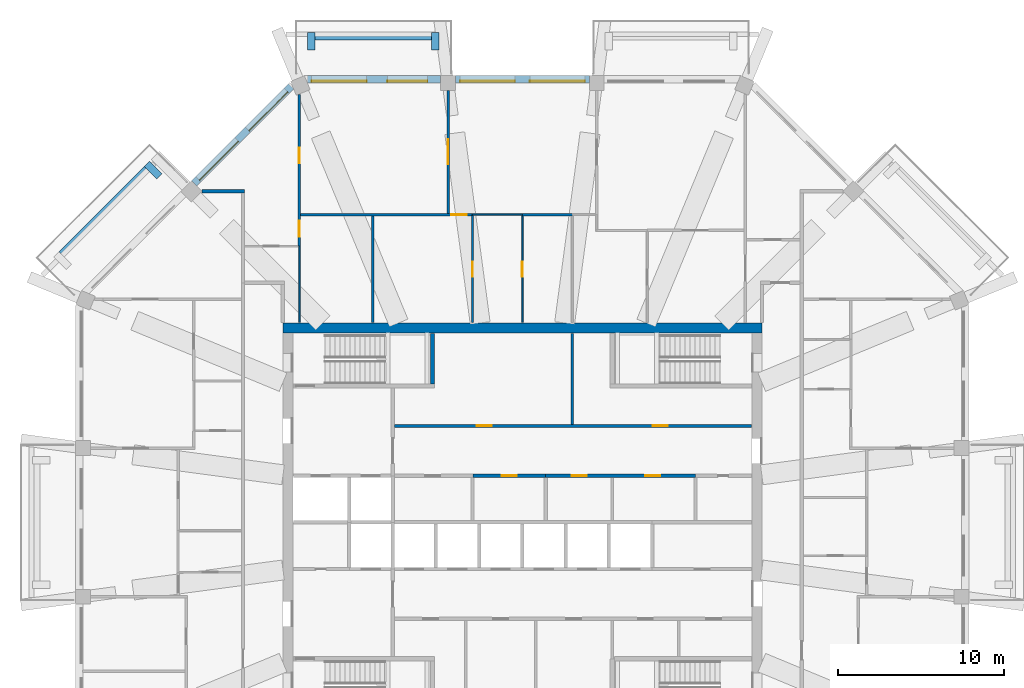
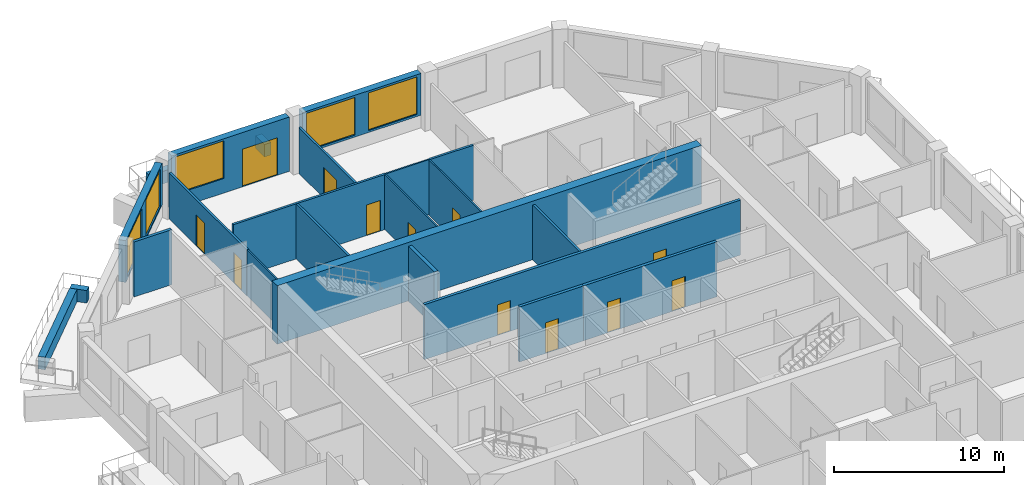
# One storey, part 8 of 12: 24 walls, 12 doors, 5 windows, 17 openings.
"""IFC4 building model written with IfcOpenShell, lengths in metres."""

from ifc_helpers import new_model, si_unit, direction, frame, frame_2d, origin, place, context, subcontext, project, spatial, rectangle, extrude, material, layer, layer_set, type_object, element, fill, save


model = new_model("IFC4")

# Units and contexts
model_context = context("Model", 3, precision=1e-05, world=origin(), true_north=direction((0.0, 1.0)))
body_context = subcontext(model_context, "Body", "Model", "MODEL_VIEW")
ifc_project = project(units=[si_unit("LENGTHUNIT", "METRE"), si_unit("AREAUNIT", "SQUARE_METRE"), si_unit("VOLUMEUNIT", "CUBIC_METRE"), si_unit("PLANEANGLEUNIT", "RADIAN"), si_unit("MASSUNIT", "GRAM", prefix="KILO")], contexts=[model_context])

# Site, building, storey
site_placement = place(None, origin())
site = spatial("IfcSite", under=ifc_project, at=site_placement, CompositionType="ELEMENT")
building_placement = place(site_placement, origin())
building = spatial("IfcBuilding", under=site, at=building_placement, Name="Msitu Wima Residences", CompositionType="ELEMENT")
storey_placement = place(building_placement, frame((0.0, 0.0, 213.89990234375)))
storey = spatial("IfcBuildingStorey", under=building, at=storey_placement, Name="L49", CompositionType="ELEMENT", Elevation=213.89990234375)

# Walls
ifc_material_1 = material(Name="Facing brick")
ifc_layer_1 = layer(ifc_material_1, 0.06494140625, Name="Facing brick")
ifc_material_2 = material(Name="Concrete C40/50", Category="concrete")
ifc_layer_2 = layer(ifc_material_2, 0.156005859375, Name="Concrete C40/50")
ifc_material_3 = material(Name="Waterproofing membrane")
ifc_layer_3 = layer(ifc_material_3, 0.00390625, Name="Waterproofing membrane")
ifc_material_4 = material(Name="Planting soil and planting")
ifc_layer_4 = layer(ifc_material_4, 0.22509765625, Name="Planting soil and planting")
ifc_layer_set_1 = layer_set([ifc_layer_1, ifc_layer_2, ifc_layer_3, ifc_layer_4], Name="Concrete C40/50")
wall_type_1 = type_object("IfcWallType", Name="Balcony planter PLANTER PL450", PredefinedType="USERDEFINED", material=ifc_layer_set_1)
wall_1_placement = place(storey_placement, frame((-5.468505859375, 29.22509765625, 0.0), z_axis=(0.0, 0.0, 1.0), x_axis=(-1.0, 0.0, 0.0)))
element("IfcWall", 1, at=wall_1_placement, inside=storey, type_object=wall_type_1, Name="Balcony planter N2 L49", ObjectType="PLANTER", PredefinedType="USERDEFINED", context=body_context, shape_type="SweptSolid", body=[
    extrude(rectangle(XDim=6.9873046875, YDim=0.449951171875, at=frame_2d((3.49365234375, 0.0))), origin(), (0.0, 0.0, 1.0), 0.900146484375),
])
for number, where, z_axis, x_axis, name in (
    (2, (-5.24365234375, 28.39990234375, 0.0), (0.0, 0.0, 1.0), (0.0, 1.0, 0.0), "Balcony planter N2 L49"),
    (3, (-12.680908203125, 28.39990234375, 0.0), (0.0, 0.0, 1.0), (0.0, 1.0, 0.0), "Balcony planter N2 L49"),
):
    element("IfcWall", number, at=place(storey_placement, frame(where, z_axis=z_axis, x_axis=x_axis)), inside=storey, type_object=wall_type_1, Name=name, ObjectType="PLANTER", PredefinedType="USERDEFINED", context=body_context, shape_type="SweptSolid", body=[
        extrude(rectangle(XDim=1.050048828125, YDim=0.449951171875, at=frame_2d((0.52490234375, 0.0))), origin(), (0.0, 0.0, 1.0), 0.900146484375),
    ])
wall_2_placement = place(storey_placement, frame((-22.572265625, 21.228759765625, 0.0), z_axis=(0.0, 0.0, 1.0), x_axis=(-0.707106781187, -0.707106781187, 0.0)))
element("IfcWall", 4, at=wall_2_placement, inside=storey, type_object=wall_type_1, Name="Balcony planter NW1 L49", ObjectType="PLANTER", PredefinedType="USERDEFINED", context=body_context, shape_type="SweptSolid", body=[
    extrude(rectangle(XDim=7.23828125, YDim=0.449951171875, at=frame_2d((3.619140625, 0.0))), origin(), (0.0, 0.0, 1.0), 0.900146484375),
])
wall_3_placement = place(storey_placement, frame((-21.829833984375, 20.804443359375, 0.0), z_axis=(0.0, 0.0, 1.0), x_axis=(-0.707106781187, 0.707106781187, 0.0)))
element("IfcWall", 5, at=wall_3_placement, inside=storey, type_object=wall_type_1, Name="Balcony planter NW1 L49", ObjectType="PLANTER", PredefinedType="USERDEFINED", context=body_context, shape_type="SweptSolid", body=[
    extrude(rectangle(XDim=1.050048828125, YDim=0.449951171875, at=frame_2d((0.52490234375, 0.0))), origin(), (0.0, 0.0, 1.0), 0.900146484375),
])

# Wall, openings, windows
ifc_material_5 = material(Name="Brick (red buff mix)", Category="masonry")
ifc_layer_5 = layer(ifc_material_5, 0.449951171875)
ifc_layer_set_2 = layer_set([ifc_layer_5], Name="Brick (red buff mix)")
wall_type_2 = type_object("IfcWallType", Name="Brick infill wall BW450", PredefinedType="SOLIDWALL", material=ifc_layer_set_2)
wall_4_placement = place(storey_placement, frame((4.0185546875, 26.625, 0.900146484375), z_axis=(0.0, 0.0, 1.0), x_axis=(-1.0, 0.0, 0.0)))
wall_4 = element("IfcWall", 6, at=wall_4_placement, inside=storey, type_object=wall_type_2, Name="Brick infill wall L49 N1", PredefinedType="SOLIDWALL", context=body_context, shape_type="SweptSolid", body=[
    extrude(rectangle(XDim=8.037109375, YDim=0.449951171875, at=frame_2d((4.0185546875, 0.0))), origin(), (0.0, 0.0, 1.0), 3.0),
])
opening_1_placement = place(wall_4_placement, frame((0.2685546875, 0.0, 0.14990234375)))
opening_1 = element("IfcOpeningElement", 7, at=opening_1_placement, cuts=wall_4, Name="Opening W49.007", PredefinedType="OPENING", context=body_context, shape_type="SweptSolid", body=[
    extrude(rectangle(XDim=3.300048828125, YDim=2.699951171875, at=frame_2d((1.64990234375, 1.35009765625))), frame((0.0, 0.23486328125, 0.0), z_axis=(0.0, -1.0, 0.0), x_axis=(1.0, 0.0, 0.0)), (0.0, 0.0, 1.0), 0.469970703125),
])
opening_2_placement = place(wall_4_placement, frame((4.46875, 0.0, 0.14990234375)))
opening_2 = element("IfcOpeningElement", 8, at=opening_2_placement, cuts=wall_4, Name="Opening W49.008", PredefinedType="OPENING", context=body_context, shape_type="SweptSolid", body=[
    extrude(rectangle(XDim=3.300048828125, YDim=2.699951171875, at=frame_2d((1.64990234375, 1.35009765625))), frame((0.0, 0.23486328125, 0.0), z_axis=(0.0, -1.0, 0.0), x_axis=(1.0, 0.0, 0.0)), (0.0, 0.0, 1.0), 0.469970703125),
])
ifc_material_6 = material(Name="Anodised aluminium, bronze finish, clear low-emissivity double glazing", Category="aluminium")
window_type = type_object("IfcWindowType", Name="Window W3300x2700", PartitioningType="DOUBLE_PANEL_VERTICAL", PredefinedType="WINDOW", material=ifc_material_6)
window_1_placement = place(opening_1_placement, origin())
window_1 = element("IfcWindow", 9, at=window_1_placement, inside=storey, type_object=window_type, Name="Window L49 N1.1", OverallHeight=2.699951171875, OverallWidth=3.300048828125, PartitioningType="SINGLE_PANEL", PredefinedType="WINDOW", context=body_context, shape_type="SweptSolid", body=[
    extrude(rectangle(XDim=3.300048828125, YDim=2.699951171875, at=frame_2d((1.64990234375, 1.35009765625))), frame((0.0, 0.135009765625, 0.0), z_axis=(0.0, -1.0, 0.0), x_axis=(1.0, 0.0, 0.0)), (0.0, 0.0, 1.0), 0.06005859375),
])
fill(opening_1, window_1)
window_2_placement = place(opening_2_placement, origin())
window_2 = element("IfcWindow", 10, at=window_2_placement, inside=storey, type_object=window_type, Name="Window L49 N1.2", OverallHeight=2.699951171875, OverallWidth=3.300048828125, PartitioningType="SINGLE_PANEL", PredefinedType="WINDOW", context=body_context, shape_type="SweptSolid", body=[
    extrude(rectangle(XDim=3.300048828125, YDim=2.699951171875, at=frame_2d((1.64990234375, 1.35009765625))), frame((0.0, 0.135009765625, 0.0), z_axis=(0.0, -1.0, 0.0), x_axis=(1.0, 0.0, 0.0)), (0.0, 0.0, 1.0), 0.06005859375),
])
fill(opening_2, window_2)

# Wall, openings, door, window
wall_5_placement = place(storey_placement, frame((-4.918701171875, 26.625, 0.0), z_axis=(0.0, 0.0, 1.0), x_axis=(-1.0, 0.0, 0.0)))
wall_5 = element("IfcWall", 11, at=wall_5_placement, inside=storey, type_object=wall_type_2, Name="Brick infill wall L49 N2", PredefinedType="SOLIDWALL", context=body_context, shape_type="SweptSolid", body=[
    extrude(rectangle(XDim=8.0, YDim=0.449951171875, at=frame_2d((4.0, 0.0))), origin(), (0.0, 0.0, 1.0), 3.900146484375),
])
opening_3_placement = place(wall_5_placement, frame((0.800048828125, 0.0, 0.0)))
opening_3 = element("IfcOpeningElement", 12, at=opening_3_placement, cuts=wall_5, Name="Opening D49.003", PredefinedType="OPENING", context=body_context, shape_type="SweptSolid", body=[
    extrude(rectangle(XDim=2.39990234375, YDim=2.699951171875, at=frame_2d((1.199951171875, 1.35009765625))), frame((0.0, 0.23486328125, 0.0), z_axis=(0.0, -1.0, 0.0), x_axis=(1.0, 0.0, 0.0)), (0.0, 0.0, 1.0), 0.469970703125),
])
opening_4_placement = place(wall_5_placement, frame((4.4501953125, 0.0, 1.050048828125)))
opening_4 = element("IfcOpeningElement", 13, at=opening_4_placement, cuts=wall_5, Name="Opening W49.009", PredefinedType="OPENING", context=body_context, shape_type="SweptSolid", body=[
    extrude(rectangle(XDim=3.300048828125, YDim=2.699951171875, at=frame_2d((1.64990234375, 1.35009765625))), frame((0.0, 0.23486328125, 0.0), z_axis=(0.0, -1.0, 0.0), x_axis=(1.0, 0.0, 0.0)), (0.0, 0.0, 1.0), 0.469970703125),
])
door_type_1 = type_object("IfcDoorType", Name="Balcony door D2400x2700", OperationType="SLIDING_TO_LEFT", PredefinedType="DOOR", material=ifc_material_6)
door_1_placement = place(opening_3_placement, origin())
door_1 = element("IfcDoor", 14, at=door_1_placement, inside=storey, type_object=door_type_1, Name="Balcony door L49 N2", OperationType="SINGLE_SWING_LEFT", OverallHeight=2.699951171875, OverallWidth=2.39990234375, PredefinedType="DOOR", context=body_context, shape_type="SweptSolid", body=[
    extrude(rectangle(XDim=2.39990234375, YDim=2.699951171875, at=frame_2d((1.199951171875, 1.35009765625))), frame((0.0, 0.1298828125, 0.0), z_axis=(0.0, -1.0, 0.0), x_axis=(1.0, 0.0, 0.0)), (0.0, 0.0, 1.0), 0.050048828125),
])
fill(opening_3, door_1)
window_3_placement = place(opening_4_placement, origin())
window_3 = element("IfcWindow", 15, at=window_3_placement, inside=storey, type_object=window_type, Name="Window L49 N2.2", OverallHeight=2.699951171875, OverallWidth=3.300048828125, PartitioningType="SINGLE_PANEL", PredefinedType="WINDOW", context=body_context, shape_type="SweptSolid", body=[
    extrude(rectangle(XDim=3.300048828125, YDim=2.699951171875, at=frame_2d((1.64990234375, 1.35009765625))), frame((0.0, 0.135009765625, 0.0), z_axis=(0.0, -1.0, 0.0), x_axis=(1.0, 0.0, 0.0)), (0.0, 0.0, 1.0), 0.06005859375),
])
fill(opening_4, window_3)

# Wall, openings, windows
wall_6_placement = place(storey_placement, frame((-13.909423828125, 26.214599609375, 0.900146484375), z_axis=(0.0, 0.0, 1.0), x_axis=(-0.707106781187, -0.707106781187, 0.0)))
wall_6 = element("IfcWall", 16, at=wall_6_placement, inside=storey, type_object=wall_type_2, Name="Brick infill wall L49 NW0", PredefinedType="SOLIDWALL", context=body_context, shape_type="SweptSolid", body=[
    extrude(rectangle(XDim=8.251220703125, YDim=0.449951171875, at=frame_2d((4.12548828125, 0.0))), origin(), (0.0, 0.0, 1.0), 3.0),
])
opening_5_placement = place(wall_6_placement, frame((0.37548828125, 0.0, 0.14990234375)))
opening_5 = element("IfcOpeningElement", 17, at=opening_5_placement, cuts=wall_6, Name="Opening W49.013", PredefinedType="OPENING", context=body_context, shape_type="SweptSolid", body=[
    extrude(rectangle(XDim=3.300048828125, YDim=2.699951171875, at=frame_2d((1.64990234375, 1.35009765625))), frame((0.0, 0.23486328125, 0.0), z_axis=(0.0, -1.0, 0.0), x_axis=(1.0, 0.0, 0.0)), (0.0, 0.0, 1.0), 0.469970703125),
])
opening_6_placement = place(wall_6_placement, frame((4.57568359375, 0.0, 0.14990234375)))
opening_6 = element("IfcOpeningElement", 18, at=opening_6_placement, cuts=wall_6, Name="Opening W49.014", PredefinedType="OPENING", context=body_context, shape_type="SweptSolid", body=[
    extrude(rectangle(XDim=3.300048828125, YDim=2.699951171875, at=frame_2d((1.64990234375, 1.35009765625))), frame((0.0, 0.23486328125, 0.0), z_axis=(0.0, -1.0, 0.0), x_axis=(1.0, 0.0, 0.0)), (0.0, 0.0, 1.0), 0.469970703125),
])
window_4_placement = place(opening_5_placement, origin())
window_4 = element("IfcWindow", 19, at=window_4_placement, inside=storey, type_object=window_type, Name="Window L49 NW0.1", OverallHeight=2.699951171875, OverallWidth=3.300048828125, PartitioningType="SINGLE_PANEL", PredefinedType="WINDOW", context=body_context, shape_type="SweptSolid", body=[
    extrude(rectangle(XDim=3.300048828125, YDim=2.699951171875, at=frame_2d((1.64990234375, 1.35009765625))), frame((0.0, 0.135009765625, 0.0), z_axis=(0.0, -1.0, 0.0), x_axis=(1.0, 0.0, 0.0)), (0.0, 0.0, 1.0), 0.06005859375),
])
fill(opening_5, window_4)
window_5_placement = place(opening_6_placement, origin())
window_5 = element("IfcWindow", 20, at=window_5_placement, inside=storey, type_object=window_type, Name="Window L49 NW0.2", OverallHeight=2.699951171875, OverallWidth=3.300048828125, PartitioningType="SINGLE_PANEL", PredefinedType="WINDOW", context=body_context, shape_type="SweptSolid", body=[
    extrude(rectangle(XDim=3.300048828125, YDim=2.699951171875, at=frame_2d((1.64990234375, 1.35009765625))), frame((0.0, 0.135009765625, 0.0), z_axis=(0.0, -1.0, 0.0), x_axis=(1.0, 0.0, 0.0)), (0.0, 0.0, 1.0), 0.06005859375),
])
fill(opening_6, window_5)

# Wall
ifc_material_7 = material(Name="Concrete C50/60", Category="concrete")
ifc_layer_6 = layer(ifc_material_7, 0.60009765625)
ifc_layer_set_3 = layer_set([ifc_layer_6], Name="Concrete C50/60")
wall_type_3 = type_object("IfcWallType", Name="Core wall CW600 C50/60", PredefinedType="SHEAR", material=ifc_layer_set_3)
wall_7_placement = place(storey_placement, frame((-14.39990234375, 11.699951171875, 0.0), z_axis=(0.0, 0.0, 1.0), x_axis=(1.0, 0.0, 0.0)))
element("IfcWall", 21, at=wall_7_placement, inside=storey, type_object=wall_type_3, Name="Core wall", PredefinedType="SHEAR", context=body_context, shape_type="SweptSolid", body=[
    extrude(rectangle(XDim=28.7998046875, YDim=0.60009765625, at=frame_2d((14.39990234375, 0.0))), origin(), (0.0, 0.0, 1.0), 4.2001953125),
])

# Wall, openings, doors
ifc_material_8 = material(Name="Plaster")
ifc_layer_7 = layer(ifc_material_8, 0.011962890625, Name="Plaster")
ifc_material_9 = material(Name="Concrete blockwork", Category="masonry")
ifc_layer_8 = layer(ifc_material_9, 0.176025390625, Name="Concrete blockwork")
ifc_layer_9 = layer(ifc_material_8, 0.011962890625, Name="Plaster")
ifc_layer_set_4 = layer_set([ifc_layer_7, ifc_layer_8, ifc_layer_9], Name="Concrete blockwork")
wall_type_4 = type_object("IfcWallType", Name="Corridor wall FW200", PredefinedType="PARTITIONING", material=ifc_layer_set_4)
wall_8_placement = place(storey_placement, frame((-7.699951171875, 5.800048828125, 0.0), z_axis=(0.0, 0.0, 1.0), x_axis=(1.0, 0.0, 0.0)))
wall_8 = element("IfcWall", 22, at=wall_8_placement, inside=storey, type_object=wall_type_4, Name="Corridor wall", PredefinedType="PARTITIONING", context=body_context, shape_type="SweptSolid", body=[
    extrude(rectangle(XDim=21.469970703125, YDim=0.199951171875, at=frame_2d((10.73486328125, 0.0))), origin(), (0.0, 0.0, 1.0), 3.9501953125),
])
opening_7_placement = place(wall_8_placement, frame((4.949951171875, 0.0, 0.0)))
opening_7 = element("IfcOpeningElement", 23, at=opening_7_placement, cuts=wall_8, Name="Opening D49.065", PredefinedType="OPENING", context=body_context, shape_type="SweptSolid", body=[
    extrude(rectangle(XDim=0.89990234375, YDim=2.199951171875, at=frame_2d((0.449951171875, 1.10009765625))), frame((0.0, 0.10986328125, 0.0), z_axis=(0.0, -1.0, 0.0), x_axis=(1.0, 0.0, 0.0)), (0.0, 0.0, 1.0), 0.219970703125),
])
opening_8_placement = place(wall_8_placement, frame((15.550048828125, 0.0, 0.0)))
opening_8 = element("IfcOpeningElement", 24, at=opening_8_placement, cuts=wall_8, Name="Opening D49.066", PredefinedType="OPENING", context=body_context, shape_type="SweptSolid", body=[
    extrude(rectangle(XDim=0.89990234375, YDim=2.199951171875, at=frame_2d((0.449951171875, 1.10009765625))), frame((0.0, 0.10986328125, 0.0), z_axis=(0.0, -1.0, 0.0), x_axis=(1.0, 0.0, 0.0)), (0.0, 0.0, 1.0), 0.219970703125),
])
ifc_material_10 = material(Name="Timber flush door", Category="wood")
door_type_2 = type_object("IfcDoorType", Name="Service door D05 900x2200", OperationType="SINGLE_SWING_LEFT", PredefinedType="DOOR", material=ifc_material_10)
door_2_placement = place(opening_7_placement, origin())
door_2 = element("IfcDoor", 25, at=door_2_placement, inside=storey, type_object=door_type_2, Name="Service door", OperationType="SINGLE_SWING_LEFT", OverallHeight=2.199951171875, OverallWidth=0.89990234375, PredefinedType="DOOR", context=body_context, shape_type="SweptSolid", body=[
    extrude(rectangle(XDim=0.89990234375, YDim=2.199951171875, at=frame_2d((0.449951171875, 1.10009765625))), frame((0.0, 0.02490234375, 0.0), z_axis=(0.0, -1.0, 0.0), x_axis=(1.0, 0.0, 0.0)), (0.0, 0.0, 1.0), 0.050048828125),
])
fill(opening_7, door_2)
door_3_placement = place(opening_8_placement, origin())
door_3 = element("IfcDoor", 26, at=door_3_placement, inside=storey, type_object=door_type_2, Name="Service door", OperationType="SINGLE_SWING_RIGHT", OverallHeight=2.199951171875, OverallWidth=0.89990234375, PredefinedType="DOOR", context=body_context, shape_type="SweptSolid", body=[
    extrude(rectangle(XDim=0.89990234375, YDim=2.199951171875, at=frame_2d((0.449951171875, 1.10009765625))), frame((0.0, 0.02490234375, 0.0), z_axis=(0.0, -1.0, 0.0), x_axis=(1.0, 0.0, 0.0)), (0.0, 0.0, 1.0), 0.050048828125),
])
fill(opening_8, door_3)

wall_9_placement = place(storey_placement, frame((1.3798828125, 2.800048828125, 0.0), z_axis=(0.0, 0.0, 1.0), x_axis=(1.0, 0.0, 0.0)))
wall_9 = element("IfcWall", 27, at=wall_9_placement, inside=storey, type_object=wall_type_4, Name="Corridor wall", PredefinedType="PARTITIONING", context=body_context, shape_type="SweptSolid", body=[
    extrude(rectangle(XDim=9.0400390625, YDim=0.199951171875, at=frame_2d((4.52001953125, 0.0))), origin(), (0.0, 0.0, 1.0), 3.9501953125),
])
opening_9_placement = place(wall_9_placement, frame((1.60009765625, 0.0, 0.0)))
opening_9 = element("IfcOpeningElement", 28, at=opening_9_placement, cuts=wall_9, Name="Opening D49.076", PredefinedType="OPENING", context=body_context, shape_type="SweptSolid", body=[
    extrude(rectangle(XDim=0.89990234375, YDim=2.199951171875, at=frame_2d((0.449951171875, 1.10009765625))), frame((0.0, 0.10986328125, 0.0), z_axis=(0.0, -1.0, 0.0), x_axis=(1.0, 0.0, 0.0)), (0.0, 0.0, 1.0), 0.219970703125),
])
opening_10_placement = place(wall_9_placement, frame((6.0, 0.0, 0.0)))
opening_10 = element("IfcOpeningElement", 29, at=opening_10_placement, cuts=wall_9, Name="Opening D49.077", PredefinedType="OPENING", context=body_context, shape_type="SweptSolid", body=[
    extrude(rectangle(XDim=0.89990234375, YDim=2.199951171875, at=frame_2d((0.449951171875, 1.10009765625))), frame((0.0, 0.10986328125, 0.0), z_axis=(0.0, -1.0, 0.0), x_axis=(1.0, 0.0, 0.0)), (0.0, 0.0, 1.0), 0.219970703125),
])
door_4_placement = place(opening_9_placement, origin())
door_4 = element("IfcDoor", 30, at=door_4_placement, inside=storey, type_object=door_type_2, Name="Service door", OperationType="SINGLE_SWING_LEFT", OverallHeight=2.199951171875, OverallWidth=0.89990234375, PredefinedType="DOOR", context=body_context, shape_type="SweptSolid", body=[
    extrude(rectangle(XDim=0.89990234375, YDim=2.199951171875, at=frame_2d((0.449951171875, 1.10009765625))), frame((0.0, 0.02490234375, 0.0), z_axis=(0.0, -1.0, 0.0), x_axis=(1.0, 0.0, 0.0)), (0.0, 0.0, 1.0), 0.050048828125),
])
fill(opening_9, door_4)
door_5_placement = place(opening_10_placement, origin())
door_5 = element("IfcDoor", 31, at=door_5_placement, inside=storey, type_object=door_type_2, Name="Service door", OperationType="SINGLE_SWING_RIGHT", OverallHeight=2.199951171875, OverallWidth=0.89990234375, PredefinedType="DOOR", context=body_context, shape_type="SweptSolid", body=[
    extrude(rectangle(XDim=0.89990234375, YDim=2.199951171875, at=frame_2d((0.449951171875, 1.10009765625))), frame((0.0, 0.02490234375, 0.0), z_axis=(0.0, -1.0, 0.0), x_axis=(1.0, 0.0, 0.0)), (0.0, 0.0, 1.0), 0.050048828125),
])
fill(opening_10, door_5)

# Wall, opening, door
ifc_layer_10 = layer(ifc_material_8, 0.011962890625, Name="Plaster")
ifc_layer_11 = layer(ifc_material_9, 0.1259765625, Name="Concrete blockwork")
ifc_layer_12 = layer(ifc_material_8, 0.011962890625, Name="Plaster")
ifc_layer_set_5 = layer_set([ifc_layer_10, ifc_layer_11, ifc_layer_12], Name="Concrete blockwork")
wall_type_5 = type_object("IfcWallType", Name="Partition PW150", PredefinedType="PARTITIONING", material=ifc_layer_set_5)
wall_10_placement = place(storey_placement, frame((-13.330810546875, 18.5, 0.0), z_axis=(0.0, 0.0, 1.0), x_axis=(1.0, 0.0, 0.0)))
wall_10 = element("IfcWall", 32, at=wall_10_placement, inside=storey, type_object=wall_type_5, Name="Partition", PredefinedType="PARTITIONING", context=body_context, shape_type="SweptSolid", body=[
    extrude(rectangle(XDim=10.330810546875, YDim=0.14990234375, at=frame_2d((5.16552734375, 0.0))), origin(), (0.0, 0.0, 1.0), 3.9501953125),
])
opening_11_placement = place(wall_10_placement, frame((9.050048828125, 0.0, 0.0)))
opening_11 = element("IfcOpeningElement", 33, at=opening_11_placement, cuts=wall_10, Name="Opening D49.031", PredefinedType="OPENING", context=body_context, shape_type="SweptSolid", body=[
    extrude(rectangle(XDim=0.949951171875, YDim=2.199951171875, at=frame_2d((0.47509765625, 1.10009765625))), frame((0.0, 0.0849609375, 0.0), z_axis=(0.0, -1.0, 0.0), x_axis=(1.0, 0.0, 0.0)), (0.0, 0.0, 1.0), 0.169921875),
])
door_type_3 = type_object("IfcDoorType", Name="Room door D12 950x2200", OperationType="SINGLE_SWING_LEFT", PredefinedType="DOOR", material=ifc_material_10)
door_6_placement = place(opening_11_placement, origin())
door_6 = element("IfcDoor", 34, at=door_6_placement, inside=storey, type_object=door_type_3, Name="Room door", OperationType="SINGLE_SWING_LEFT", OverallHeight=2.199951171875, OverallWidth=0.949951171875, PredefinedType="DOOR", context=body_context, shape_type="SweptSolid", body=[
    extrude(rectangle(XDim=0.949951171875, YDim=2.199951171875, at=frame_2d((0.47509765625, 1.10009765625))), frame((0.0, 0.02490234375, 0.0), z_axis=(0.0, -1.0, 0.0), x_axis=(1.0, 0.0, 0.0)), (0.0, 0.0, 1.0), 0.050048828125),
])
fill(opening_11, door_6)

# Wall, openings, doors
wall_11_placement = place(storey_placement, frame((-13.406005859375, 25.731201171875, 0.0), z_axis=(0.0, 0.0, 1.0), x_axis=(0.0, -1.0, 0.0)))
wall_11 = element("IfcWall", 35, at=wall_11_placement, inside=storey, type_object=wall_type_5, Name="Partition", PredefinedType="PARTITIONING", context=body_context, shape_type="SweptSolid", body=[
    extrude(rectangle(XDim=9.131103515625, YDim=0.14990234375, at=frame_2d((4.5654296875, 0.0))), origin(), (0.0, 0.0, 1.0), 3.300048828125),
])
opening_12_placement = place(wall_11_placement, frame((3.199951171875, 0.0, 0.0)))
opening_12 = element("IfcOpeningElement", 36, at=opening_12_placement, cuts=wall_11, Name="Opening D49.024", PredefinedType="OPENING", context=body_context, shape_type="SweptSolid", body=[
    extrude(rectangle(XDim=0.949951171875, YDim=2.199951171875, at=frame_2d((0.47509765625, 1.10009765625))), frame((0.0, 0.0849609375, 0.0), z_axis=(0.0, -1.0, 0.0), x_axis=(1.0, 0.0, 0.0)), (0.0, 0.0, 1.0), 0.169921875),
])
opening_13_placement = place(wall_11_placement, frame((7.60009765625, 0.0, 0.0)))
opening_13 = element("IfcOpeningElement", 37, at=opening_13_placement, cuts=wall_11, Name="Opening D49.025", PredefinedType="OPENING", context=body_context, shape_type="SweptSolid", body=[
    extrude(rectangle(XDim=0.949951171875, YDim=2.199951171875, at=frame_2d((0.47509765625, 1.10009765625))), frame((0.0, 0.0849609375, 0.0), z_axis=(0.0, -1.0, 0.0), x_axis=(1.0, 0.0, 0.0)), (0.0, 0.0, 1.0), 0.169921875),
])
door_7_placement = place(opening_12_placement, origin())
door_7 = element("IfcDoor", 38, at=door_7_placement, inside=storey, type_object=door_type_3, Name="Room door", OperationType="SINGLE_SWING_LEFT", OverallHeight=2.199951171875, OverallWidth=0.949951171875, PredefinedType="DOOR", context=body_context, shape_type="SweptSolid", body=[
    extrude(rectangle(XDim=0.949951171875, YDim=2.199951171875, at=frame_2d((0.47509765625, 1.10009765625))), frame((0.0, 0.02490234375, 0.0), z_axis=(0.0, -1.0, 0.0), x_axis=(1.0, 0.0, 0.0)), (0.0, 0.0, 1.0), 0.050048828125),
])
fill(opening_12, door_7)
door_8_placement = place(opening_13_placement, origin())
door_8 = element("IfcDoor", 39, at=door_8_placement, inside=storey, type_object=door_type_3, Name="Room door", OperationType="SINGLE_SWING_LEFT", OverallHeight=2.199951171875, OverallWidth=0.949951171875, PredefinedType="DOOR", context=body_context, shape_type="SweptSolid", body=[
    extrude(rectangle(XDim=0.949951171875, YDim=2.199951171875, at=frame_2d((0.47509765625, 1.10009765625))), frame((0.0, 0.02490234375, 0.0), z_axis=(0.0, -1.0, 0.0), x_axis=(1.0, 0.0, 0.0)), (0.0, 0.0, 1.0), 0.050048828125),
])
fill(opening_13, door_8)

# Wall
wall_12_placement = place(storey_placement, frame((-9.0, 12.030029296875, 0.0), z_axis=(0.0, 0.0, 1.0), x_axis=(0.0, 1.0, 0.0)))
element("IfcWall", 40, at=wall_12_placement, inside=storey, type_object=wall_type_5, Name="Partition", PredefinedType="PARTITIONING", context=body_context, shape_type="SweptSolid", body=[
    extrude(rectangle(XDim=6.39501953125, YDim=0.14990234375, at=frame_2d((3.197509765625, 0.0))), origin(), (0.0, 0.0, 1.0), 3.9501953125),
])

# Wall, opening, door
wall_13_placement = place(storey_placement, frame((-4.46875, 18.574951171875, 0.0), z_axis=(0.0, 0.0, 1.0), x_axis=(0.0, 1.0, 0.0)))
wall_13 = element("IfcWall", 41, at=wall_13_placement, inside=storey, type_object=wall_type_5, Name="Partition", PredefinedType="PARTITIONING", context=body_context, shape_type="SweptSolid", body=[
    extrude(rectangle(XDim=7.375, YDim=0.14990234375, at=frame_2d((3.6875, 0.0))), origin(), (0.0, 0.0, 1.0), 3.300048828125),
])
opening_14_placement = place(wall_13_placement, frame((2.949951171875, 0.0, 0.0)))
opening_14 = element("IfcOpeningElement", 42, at=opening_14_placement, cuts=wall_13, Name="Opening D49.034", PredefinedType="OPENING", context=body_context, shape_type="SweptSolid", body=[
    extrude(rectangle(XDim=1.5, YDim=2.199951171875, at=frame_2d((0.75, 1.10009765625))), frame((0.0, 0.0849609375, 0.0), z_axis=(0.0, -1.0, 0.0), x_axis=(1.0, 0.0, 0.0)), (0.0, 0.0, 1.0), 0.169921875),
])
ifc_material_11 = material(Name="Timber double door", Category="wood")
door_type_4 = type_object("IfcDoorType", Name="Double door D04 1500x2200", OperationType="DOUBLE_DOOR_SINGLE_SWING", PredefinedType="DOOR", material=ifc_material_11)
door_9_placement = place(opening_14_placement, origin())
door_9 = element("IfcDoor", 43, at=door_9_placement, inside=storey, type_object=door_type_4, Name="Double door", OperationType="DOUBLE_DOOR_SINGLE_SWING", OverallHeight=2.199951171875, OverallWidth=1.5, PredefinedType="DOOR", context=body_context, shape_type="SweptSolid", body=[
    extrude(rectangle(XDim=1.5, YDim=2.199951171875, at=frame_2d((0.75, 1.10009765625))), frame((0.0, 0.02490234375, 0.0), z_axis=(0.0, -1.0, 0.0), x_axis=(1.0, 0.0, 0.0)), (0.0, 0.0, 1.0), 0.050048828125),
])
fill(opening_14, door_9)

# Walls
wall_14_placement = place(storey_placement, frame((0.0, 18.5, 0.0), z_axis=(0.0, 0.0, 1.0), x_axis=(1.0, 0.0, 0.0)))
element("IfcWall", 44, at=wall_14_placement, inside=storey, type_object=wall_type_5, Name="Partition", PredefinedType="PARTITIONING", context=body_context, shape_type="SweptSolid", body=[
    extrude(rectangle(XDim=3.0, YDim=0.14990234375, at=frame_2d((1.5, 0.0))), origin(), (0.0, 0.0, 1.0), 3.9501953125),
])
wall_15_placement = place(storey_placement, frame((3.0, 5.89990234375, 0.0), z_axis=(0.0, 0.0, 1.0), x_axis=(0.0, 1.0, 0.0)))
element("IfcWall", 45, at=wall_15_placement, inside=storey, type_object=wall_type_5, Name="Partition", PredefinedType="PARTITIONING", context=body_context, shape_type="SweptSolid", body=[
    extrude(rectangle(XDim=5.47021484375, YDim=0.14990234375, at=frame_2d((2.735107421875, 0.0))), origin(), (0.0, 0.0, 1.0), 3.9501953125),
])
ifc_layer_13 = layer(ifc_material_8, 0.011962890625, Name="Plaster")
ifc_material_12 = material(Name="Dense concrete blockwork", Category="masonry")
ifc_layer_14 = layer(ifc_material_12, 0.176025390625, Name="Dense concrete blockwork")
ifc_layer_15 = layer(ifc_material_8, 0.011962890625, Name="Plaster")
ifc_layer_set_6 = layer_set([ifc_layer_13, ifc_layer_14, ifc_layer_15], Name="Dense concrete blockwork")
wall_type_6 = type_object("IfcWallType", Name="Party wall PW200", PredefinedType="PARTITIONING", material=ifc_layer_set_6)
wall_16_placement = place(storey_placement, frame((-19.2666015625, 19.90283203125, 0.0), z_axis=(0.0, 0.0, 1.0), x_axis=(1.0, 0.0, 0.0)))
element("IfcWall", 46, at=wall_16_placement, inside=storey, type_object=wall_type_6, Name="Party wall", PredefinedType="PARTITIONING", context=body_context, shape_type="SweptSolid", body=[
    extrude(rectangle(XDim=2.566650390625, YDim=0.199951171875, at=frame_2d((1.283203125, 0.0))), origin(), (0.0, 0.0, 1.0), 3.9501953125),
])

# Wall, opening, door
ifc_layer_16 = layer(ifc_material_8, 0.011962890625, Name="Plaster")
ifc_material_13 = material(Name="Reinforced concrete blockwork", Category="masonry")
ifc_layer_17 = layer(ifc_material_13, 0.176025390625, Name="Reinforced concrete blockwork")
ifc_layer_18 = layer(ifc_material_8, 0.011962890625, Name="Plaster")
ifc_layer_set_7 = layer_set([ifc_layer_16, ifc_layer_17, ifc_layer_18], Name="Reinforced concrete blockwork")
wall_type_7 = type_object("IfcWallType", Name="Plant and riser wall PL200", PredefinedType="PARTITIONING", material=ifc_layer_set_7)
wall_17_placement = place(storey_placement, frame((-2.97998046875, 2.800048828125, 0.0), z_axis=(0.0, 0.0, 1.0), x_axis=(1.0, 0.0, 0.0)))
wall_17 = element("IfcWall", 47, at=wall_17_placement, inside=storey, type_object=wall_type_7, Name="Plant and riser wall", PredefinedType="PARTITIONING", context=body_context, shape_type="SweptSolid", body=[
    extrude(rectangle(XDim=4.35986328125, YDim=0.199951171875, at=frame_2d((2.179931640625, 0.0))), origin(), (0.0, 0.0, 1.0), 3.9501953125),
])
opening_15_placement = place(wall_17_placement, frame((1.75, 0.0, 0.0)))
opening_15 = element("IfcOpeningElement", 48, at=opening_15_placement, cuts=wall_17, Name="Opening D49.075", PredefinedType="OPENING", context=body_context, shape_type="SweptSolid", body=[
    extrude(rectangle(XDim=0.89990234375, YDim=2.199951171875, at=frame_2d((0.449951171875, 1.10009765625))), frame((0.0, 0.10986328125, 0.0), z_axis=(0.0, -1.0, 0.0), x_axis=(1.0, 0.0, 0.0)), (0.0, 0.0, 1.0), 0.219970703125),
])
door_10_placement = place(opening_15_placement, origin())
door_10 = element("IfcDoor", 49, at=door_10_placement, inside=storey, type_object=door_type_2, Name="Service door", OperationType="SINGLE_SWING_LEFT", OverallHeight=2.199951171875, OverallWidth=0.89990234375, PredefinedType="DOOR", context=body_context, shape_type="SweptSolid", body=[
    extrude(rectangle(XDim=0.89990234375, YDim=2.199951171875, at=frame_2d((0.449951171875, 1.10009765625))), frame((0.0, 0.02490234375, 0.0), z_axis=(0.0, -1.0, 0.0), x_axis=(1.0, 0.0, 0.0)), (0.0, 0.0, 1.0), 0.050048828125),
])
fill(opening_15, door_10)

# Walls
ifc_layer_19 = layer(ifc_material_7, 0.25)
ifc_layer_set_8 = layer_set([ifc_layer_19], Name="Concrete C50/60")
wall_type_8 = type_object("IfcWallType", Name="Stair enclosure wall SW250", PredefinedType="SHEAR", material=ifc_layer_set_8)
wall_18_placement = place(storey_placement, frame((-5.39990234375, 8.324951171875, 0.0), z_axis=(0.0, 0.0, 1.0), x_axis=(0.0, 1.0, 0.0)))
element("IfcWall", 50, at=wall_18_placement, inside=storey, type_object=wall_type_8, Name="Stair enclosure wall", PredefinedType="SHEAR", context=body_context, shape_type="SweptSolid", body=[
    extrude(rectangle(XDim=3.045166015625, YDim=0.25, at=frame_2d((1.5224609375, 0.0))), origin(), (0.0, 0.0, 1.0), 3.9501953125),
])
ifc_material_14 = material(Name="Ceramic tiles")
ifc_layer_20 = layer(ifc_material_14, 0.008056640625, Name="Ceramic tiles")
ifc_material_15 = material(Name="Moisture-resistant board")
ifc_layer_21 = layer(ifc_material_15, 0.012451171875, Name="Moisture-resistant board")
ifc_material_16 = material(Name="Light-gauge stud framing with mineral wool")
ifc_layer_22 = layer(ifc_material_16, 0.06689453125, Name="Light-gauge stud framing with mineral wool")
ifc_layer_23 = layer(ifc_material_15, 0.012451171875, Name="Moisture-resistant board")
ifc_layer_set_9 = layer_set([ifc_layer_20, ifc_layer_21, ifc_layer_22, ifc_layer_23], Name="Light-gauge stud framing with mineral wool")
wall_type_9 = type_object("IfcWallType", Name="Wet wall PW100", PredefinedType="PARTITIONING", material=ifc_layer_set_9)
wall_19_placement = place(storey_placement, frame((-13.406005859375, 12.030029296875, 0.0), z_axis=(0.0, 0.0, 1.0), x_axis=(0.0, 1.0, 0.0)))
element("IfcWall", 51, at=wall_19_placement, inside=storey, type_object=wall_type_9, Name="Wet wall", PredefinedType="PARTITIONING", context=body_context, shape_type="SweptSolid", body=[
    extrude(rectangle(XDim=4.570068359375, YDim=0.10009765625, at=frame_2d((2.28515625, 0.0))), origin(), (0.0, 0.0, 1.0), 3.300048828125),
])
wall_20_placement = place(storey_placement, frame((-3.0, 18.5, 0.0), z_axis=(0.0, 0.0, 1.0), x_axis=(1.0, 0.0, 0.0)))
element("IfcWall", 52, at=wall_20_placement, inside=storey, type_object=wall_type_9, Name="Wet wall", PredefinedType="PARTITIONING", context=body_context, shape_type="SweptSolid", body=[
    extrude(rectangle(XDim=3.0, YDim=0.10009765625, at=frame_2d((1.5, 0.0))), origin(), (0.0, 0.0, 1.0), 3.9501953125),
])

# Wall, opening, door
wall_21_placement = place(storey_placement, frame((-3.0, 12.030029296875, 0.0), z_axis=(0.0, 0.0, 1.0), x_axis=(0.0, 1.0, 0.0)))
wall_21 = element("IfcWall", 53, at=wall_21_placement, inside=storey, type_object=wall_type_9, Name="Wet wall", PredefinedType="PARTITIONING", context=body_context, shape_type="SweptSolid", body=[
    extrude(rectangle(XDim=6.419921875, YDim=0.10009765625, at=frame_2d((3.2099609375, 0.0))), origin(), (0.0, 0.0, 1.0), 3.9501953125),
])
opening_16_placement = place(wall_21_placement, frame((2.75, 0.0, 0.0)))
opening_16 = element("IfcOpeningElement", 54, at=opening_16_placement, cuts=wall_21, Name="Opening D49.032", PredefinedType="OPENING", context=body_context, shape_type="SweptSolid", body=[
    extrude(rectangle(XDim=0.89990234375, YDim=2.199951171875, at=frame_2d((0.449951171875, 1.10009765625))), frame((0.0, 0.06005859375, 0.0), z_axis=(0.0, -1.0, 0.0), x_axis=(1.0, 0.0, 0.0)), (0.0, 0.0, 1.0), 0.1201171875),
])
door_11_placement = place(opening_16_placement, origin())
door_11 = element("IfcDoor", 55, at=door_11_placement, inside=storey, type_object=door_type_2, Name="Service door", OperationType="SINGLE_SWING_RIGHT", OverallHeight=2.199951171875, OverallWidth=0.89990234375, PredefinedType="DOOR", context=body_context, shape_type="SweptSolid", body=[
    extrude(rectangle(XDim=0.89990234375, YDim=2.199951171875, at=frame_2d((0.449951171875, 1.10009765625))), frame((0.0, 0.02490234375, 0.0), z_axis=(0.0, -1.0, 0.0), x_axis=(1.0, 0.0, 0.0)), (0.0, 0.0, 1.0), 0.050048828125),
])
fill(opening_16, door_11)

wall_22_placement = place(storey_placement, frame((0.0, 12.030029296875, 0.0), z_axis=(0.0, 0.0, 1.0), x_axis=(0.0, 1.0, 0.0)))
wall_22 = element("IfcWall", 56, at=wall_22_placement, inside=storey, type_object=wall_type_9, Name="Wet wall", PredefinedType="PARTITIONING", context=body_context, shape_type="SweptSolid", body=[
    extrude(rectangle(XDim=6.39501953125, YDim=0.10009765625, at=frame_2d((3.197509765625, 0.0))), origin(), (0.0, 0.0, 1.0), 3.9501953125),
])
opening_17_placement = place(wall_22_placement, frame((2.75, 0.0, 0.0)))
opening_17 = element("IfcOpeningElement", 57, at=opening_17_placement, cuts=wall_22, Name="Opening D49.033", PredefinedType="OPENING", context=body_context, shape_type="SweptSolid", body=[
    extrude(rectangle(XDim=0.89990234375, YDim=2.199951171875, at=frame_2d((0.449951171875, 1.10009765625))), frame((0.0, 0.06005859375, 0.0), z_axis=(0.0, -1.0, 0.0), x_axis=(1.0, 0.0, 0.0)), (0.0, 0.0, 1.0), 0.1201171875),
])
door_12_placement = place(opening_17_placement, origin())
door_12 = element("IfcDoor", 58, at=door_12_placement, inside=storey, type_object=door_type_2, Name="Service door", OperationType="SINGLE_SWING_LEFT", OverallHeight=2.199951171875, OverallWidth=0.89990234375, PredefinedType="DOOR", context=body_context, shape_type="SweptSolid", body=[
    extrude(rectangle(XDim=0.89990234375, YDim=2.199951171875, at=frame_2d((0.449951171875, 1.10009765625))), frame((0.0, 0.02490234375, 0.0), z_axis=(0.0, -1.0, 0.0), x_axis=(1.0, 0.0, 0.0)), (0.0, 0.0, 1.0), 0.050048828125),
])
fill(opening_17, door_12)

save(model, "model.ifc")
